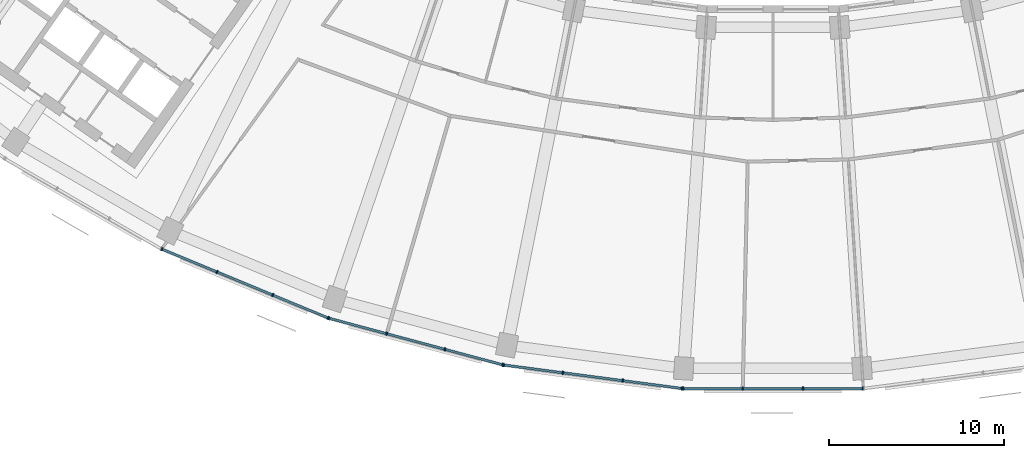
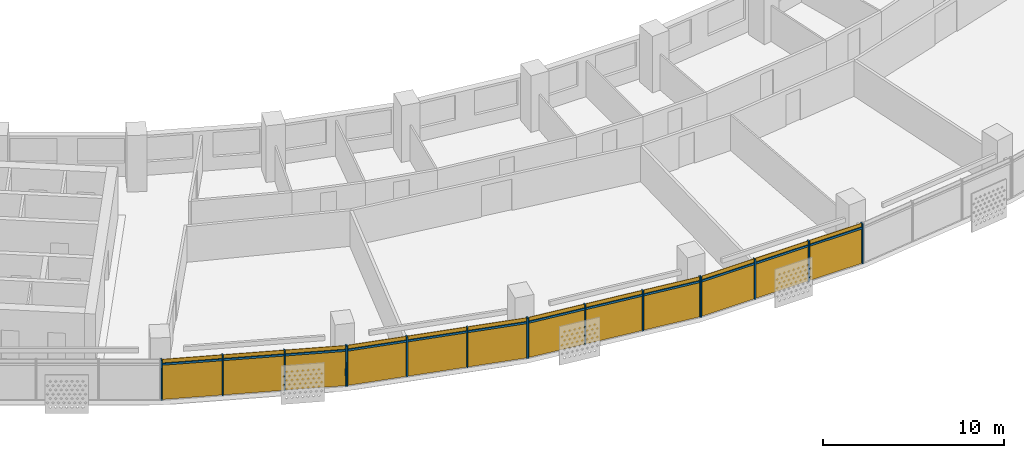
# One storey, part 18 of 26: 28 members, 4 curtain walls.
"""IFC4 building model written with IfcOpenShell, lengths in metres."""

from ifc_helpers import new_model, si_unit, direction, frame, origin, origin_2d, place, context, subcontext, project, spatial, rectangle, extrude, material, material_profile, profile_set, type_object, element, aggregate, save


model = new_model("IFC4")

# Units and contexts
model_context = context("Model", 3, precision=1e-05, world=origin(), true_north=direction((0.0, 1.0)))
body_context = subcontext(model_context, "Body", "Model", "MODEL_VIEW")
ifc_project = project(units=[si_unit("LENGTHUNIT", "METRE"), si_unit("AREAUNIT", "SQUARE_METRE"), si_unit("VOLUMEUNIT", "CUBIC_METRE"), si_unit("PLANEANGLEUNIT", "RADIAN"), si_unit("MASSUNIT", "GRAM", prefix="KILO")], contexts=[model_context])

# Member
ifc_material = material(Name="Aluminium 6063-T6 anodised", Category="aluminium")
ifc_material_profile_1 = material_profile(ifc_material, rectangle(XDim=0.199951171875, YDim=0.070068359375, at=origin_2d()))
ifc_profile_set_1 = profile_set([ifc_material_profile_1], Name="Aluminium 6063-T6 anodised")
member_type_1 = type_object("IfcMemberType", Name="Mullion 70 x 200 aluminium", PredefinedType="MULLION", material=ifc_profile_set_1)
site_placement = place(None, origin())
building_placement = place(site_placement, origin())
storey_placement = place(building_placement, frame((0.0, 0.0, 168.300048828125)))
member_1_placement = place(storey_placement, frame((-34.8701171875, -70.77392578125, 0.0), z_axis=(0.0, 0.0, 1.0), x_axis=(0.382683432365, 0.923879532511, 0.0)))
member_1 = element("IfcMember", 1, at=member_1_placement, type_object=member_type_1, Name="e-cw1-L39-out04/M00", PredefinedType="MULLION", context=body_context, shape_type="SweptSolid", body=[
    extrude(rectangle(XDim=0.199951171875, YDim=0.070068359375, at=origin_2d()), origin(), (0.0, 0.0, 1.0), 2.699951171875),
])

member_2_placement = place(storey_placement, frame((-31.72021484375, -72.078857421875, 0.0), z_axis=(0.0, 0.0, 1.0), x_axis=(0.382683432365, 0.923879532511, 0.0)))
member_2 = element("IfcMember", 2, at=member_2_placement, type_object=member_type_1, Name="e-cw1-L39-out04/M01", PredefinedType="MULLION", context=body_context, shape_type="SweptSolid", body=[
    extrude(rectangle(XDim=0.199951171875, YDim=0.070068359375, at=origin_2d()), origin(), (0.0, 0.0, 1.0), 2.699951171875),
])

member_3_placement = place(storey_placement, frame((-28.537841796875, -73.39697265625, 0.0), z_axis=(0.0, 0.0, 1.0), x_axis=(0.382683432365, 0.923879532511, 0.0)))
member_3 = element("IfcMember", 3, at=member_3_placement, type_object=member_type_1, Name="e-cw1-L39-out04/M02", PredefinedType="MULLION", context=body_context, shape_type="SweptSolid", body=[
    extrude(rectangle(XDim=0.199951171875, YDim=0.070068359375, at=origin_2d()), origin(), (0.0, 0.0, 1.0), 2.699951171875),
])

member_4_placement = place(storey_placement, frame((-25.3876953125, -74.70166015625, 0.0), z_axis=(0.0, 0.0, 1.0), x_axis=(0.382683432365, 0.923879532511, 0.0)))
member_4 = element("IfcMember", 4, at=member_4_placement, type_object=member_type_1, Name="e-cw1-L39-out04/M03", PredefinedType="MULLION", context=body_context, shape_type="SweptSolid", body=[
    extrude(rectangle(XDim=0.199951171875, YDim=0.070068359375, at=origin_2d()), origin(), (0.0, 0.0, 1.0), 2.699951171875),
])

member_5_placement = place(storey_placement, frame((-25.333984375, -74.719970703125, 0.0), z_axis=(0.0, 0.0, 1.0), x_axis=(0.258819045103, 0.965925826289, 0.0)))
member_5 = element("IfcMember", 5, at=member_5_placement, type_object=member_type_1, Name="e-cw1-L39-out05/M00", PredefinedType="MULLION", context=body_context, shape_type="SweptSolid", body=[
    extrude(rectangle(XDim=0.199951171875, YDim=0.070068359375, at=origin_2d()), origin(), (0.0, 0.0, 1.0), 2.699951171875),
])

member_6_placement = place(storey_placement, frame((-22.04052734375, -75.602294921875, 0.0), z_axis=(0.0, 0.0, 1.0), x_axis=(0.258819045103, 0.965925826289, 0.0)))
member_6 = element("IfcMember", 6, at=member_6_placement, type_object=member_type_1, Name="e-cw1-L39-out05/M01", PredefinedType="MULLION", context=body_context, shape_type="SweptSolid", body=[
    extrude(rectangle(XDim=0.199951171875, YDim=0.070068359375, at=origin_2d()), origin(), (0.0, 0.0, 1.0), 2.699951171875),
])

member_7_placement = place(storey_placement, frame((-18.71337890625, -76.493896484375, 0.0), z_axis=(0.0, 0.0, 1.0), x_axis=(0.258819045103, 0.965925826289, 0.0)))
member_7 = element("IfcMember", 7, at=member_7_placement, type_object=member_type_1, Name="e-cw1-L39-out05/M02", PredefinedType="MULLION", context=body_context, shape_type="SweptSolid", body=[
    extrude(rectangle(XDim=0.199951171875, YDim=0.070068359375, at=origin_2d()), origin(), (0.0, 0.0, 1.0), 2.699951171875),
])

member_8_placement = place(storey_placement, frame((-15.420166015625, -77.37646484375, 0.0), z_axis=(0.0, 0.0, 1.0), x_axis=(0.258819045103, 0.965925826289, 0.0)))
member_8 = element("IfcMember", 8, at=member_8_placement, type_object=member_type_1, Name="e-cw1-L39-out05/M03", PredefinedType="MULLION", context=body_context, shape_type="SweptSolid", body=[
    extrude(rectangle(XDim=0.199951171875, YDim=0.070068359375, at=origin_2d()), origin(), (0.0, 0.0, 1.0), 2.699951171875),
])

member_9_placement = place(storey_placement, frame((-15.364501953125, -77.387451171875, 0.0), z_axis=(0.0, 0.0, 1.0), x_axis=(0.13052619222, 0.991444861374, 0.0)))
member_9 = element("IfcMember", 9, at=member_9_placement, type_object=member_type_1, Name="e-cw1-L39-out06/M00", PredefinedType="MULLION", context=body_context, shape_type="SweptSolid", body=[
    extrude(rectangle(XDim=0.199951171875, YDim=0.070068359375, at=origin_2d()), origin(), (0.0, 0.0, 1.0), 2.699951171875),
])

member_10_placement = place(storey_placement, frame((-11.98388671875, -77.83251953125, 0.0), z_axis=(0.0, 0.0, 1.0), x_axis=(0.13052619222, 0.991444861374, 0.0)))
member_10 = element("IfcMember", 10, at=member_10_placement, type_object=member_type_1, Name="e-cw1-L39-out06/M01", PredefinedType="MULLION", context=body_context, shape_type="SweptSolid", body=[
    extrude(rectangle(XDim=0.199951171875, YDim=0.070068359375, at=origin_2d()), origin(), (0.0, 0.0, 1.0), 2.699951171875),
])

member_11_placement = place(storey_placement, frame((-8.56884765625, -78.2822265625, 0.0), z_axis=(0.0, 0.0, 1.0), x_axis=(0.13052619222, 0.991444861374, 0.0)))
member_11 = element("IfcMember", 11, at=member_11_placement, type_object=member_type_1, Name="e-cw1-L39-out06/M02", PredefinedType="MULLION", context=body_context, shape_type="SweptSolid", body=[
    extrude(rectangle(XDim=0.199951171875, YDim=0.070068359375, at=origin_2d()), origin(), (0.0, 0.0, 1.0), 2.699951171875),
])

member_12_placement = place(storey_placement, frame((-5.1884765625, -78.72705078125, 0.0), z_axis=(0.0, 0.0, 1.0), x_axis=(0.13052619222, 0.991444861374, 0.0)))
member_12 = element("IfcMember", 12, at=member_12_placement, type_object=member_type_1, Name="e-cw1-L39-out06/M03", PredefinedType="MULLION", context=body_context, shape_type="SweptSolid", body=[
    extrude(rectangle(XDim=0.199951171875, YDim=0.070068359375, at=origin_2d()), origin(), (0.0, 0.0, 1.0), 2.699951171875),
])

member_13_placement = place(storey_placement, frame((-5.1318359375, -78.73095703125, 0.0), z_axis=(0.0, 0.0, 1.0), x_axis=(0.0, 1.0, 0.0)))
member_13 = element("IfcMember", 13, at=member_13_placement, type_object=member_type_1, Name="e-cw1-L39-out07/M00", PredefinedType="MULLION", context=body_context, shape_type="SweptSolid", body=[
    extrude(rectangle(XDim=0.199951171875, YDim=0.070068359375, at=origin_2d()), origin(), (0.0, 0.0, 1.0), 2.699951171875),
])

member_14_placement = place(storey_placement, frame((-1.72216796875, -78.73095703125, 0.0), z_axis=(0.0, 0.0, 1.0), x_axis=(0.0, 1.0, 0.0)))
member_14 = element("IfcMember", 14, at=member_14_placement, type_object=member_type_1, Name="e-cw1-L39-out07/M01", PredefinedType="MULLION", context=body_context, shape_type="SweptSolid", body=[
    extrude(rectangle(XDim=0.199951171875, YDim=0.070068359375, at=origin_2d()), origin(), (0.0, 0.0, 1.0), 2.699951171875),
])

member_15_placement = place(storey_placement, frame((1.72216796875, -78.73095703125, 0.0), z_axis=(0.0, 0.0, 1.0), x_axis=(0.0, 1.0, 0.0)))
member_15 = element("IfcMember", 15, at=member_15_placement, type_object=member_type_1, Name="e-cw1-L39-out07/M02", PredefinedType="MULLION", context=body_context, shape_type="SweptSolid", body=[
    extrude(rectangle(XDim=0.199951171875, YDim=0.070068359375, at=origin_2d()), origin(), (0.0, 0.0, 1.0), 2.699951171875),
])

member_16_placement = place(storey_placement, frame((5.1318359375, -78.73095703125, 0.0), z_axis=(0.0, 0.0, 1.0), x_axis=(0.0, 1.0, 0.0)))
member_16 = element("IfcMember", 16, at=member_16_placement, type_object=member_type_1, Name="e-cw1-L39-out07/M03", PredefinedType="MULLION", context=body_context, shape_type="SweptSolid", body=[
    extrude(rectangle(XDim=0.199951171875, YDim=0.070068359375, at=origin_2d()), origin(), (0.0, 0.0, 1.0), 2.699951171875),
])

ifc_material_profile_2 = material_profile(ifc_material, rectangle(XDim=0.139892578125, YDim=0.1201171875, at=origin_2d()))
ifc_profile_set_2 = profile_set([ifc_material_profile_2], Name="Aluminium 6063-T6 anodised")
member_type_2 = type_object("IfcMemberType", Name="Transom 120 x 140 aluminium", PredefinedType="USERDEFINED", material=ifc_profile_set_2)
member_17_placement = place(storey_placement, frame((-34.837890625, -70.787353515625, 2.39990234375), z_axis=(0.923875164544, -0.382693977401, 0.0), x_axis=(0.382693977401, 0.923875164544, 0.0)))
member_17 = element("IfcMember", 17, at=member_17_placement, type_object=member_type_2, Name="e-cw1-L39-out04/T00", ObjectType="TRANSOM", PredefinedType="USERDEFINED", context=body_context, shape_type="SweptSolid", body=[
    extrude(rectangle(XDim=0.139892578125, YDim=0.1201171875, at=origin_2d()), origin(), (0.0, 0.0, 1.0), 3.339599609375),
])

member_18_placement = place(storey_placement, frame((-31.687744140625, -72.092041015625, 2.39990234375), z_axis=(0.923866926753, -0.382713863941, 0.0), x_axis=(0.382713863941, 0.923866926753, 0.0)))
member_18 = element("IfcMember", 18, at=member_18_placement, type_object=member_type_2, Name="e-cw1-L39-out04/T01", ObjectType="TRANSOM", PredefinedType="USERDEFINED", context=body_context, shape_type="SweptSolid", body=[
    extrude(rectangle(XDim=0.139892578125, YDim=0.1201171875, at=origin_2d()), origin(), (0.0, 0.0, 1.0), 3.37451171875),
])

member_19_placement = place(storey_placement, frame((-28.50537109375, -73.410400390625, 2.39990234375), z_axis=(0.923890305385, -0.382657423311, 0.0), x_axis=(0.382657423311, 0.923890305385, 0.0)))
member_19 = element("IfcMember", 19, at=member_19_placement, type_object=member_type_2, Name="e-cw1-L39-out04/T02", ObjectType="TRANSOM", PredefinedType="USERDEFINED", context=body_context, shape_type="SweptSolid", body=[
    extrude(rectangle(XDim=0.139892578125, YDim=0.1201171875, at=origin_2d()), origin(), (0.0, 0.0, 1.0), 3.33935546875),
])

member_20_placement = place(storey_placement, frame((-25.30029296875, -74.72900390625, 2.39990234375), z_axis=(0.965933368091, -0.258790897074, 0.0), x_axis=(0.258790897074, 0.965933368091, 0.0)))
member_20 = element("IfcMember", 20, at=member_20_placement, type_object=member_type_2, Name="e-cw1-L39-out05/T00", ObjectType="TRANSOM", PredefinedType="USERDEFINED", context=body_context, shape_type="SweptSolid", body=[
    extrude(rectangle(XDim=0.139892578125, YDim=0.1201171875, at=origin_2d()), origin(), (0.0, 0.0, 1.0), 3.339599609375),
])

member_21_placement = place(storey_placement, frame((-22.0068359375, -75.611572265625, 2.39990234375), z_axis=(0.965932873966, -0.258792741381, 0.0), x_axis=(0.258792741381, 0.965932873966, 0.0)))
member_21 = element("IfcMember", 21, at=member_21_placement, type_object=member_type_2, Name="e-cw1-L39-out05/T01", ObjectType="TRANSOM", PredefinedType="USERDEFINED", context=body_context, shape_type="SweptSolid", body=[
    extrude(rectangle(XDim=0.139892578125, YDim=0.1201171875, at=origin_2d()), origin(), (0.0, 0.0, 1.0), 3.37451171875),
])

member_22_placement = place(storey_placement, frame((-18.6796875, -76.5029296875, 2.39990234375), z_axis=(0.96591509168, -0.258859103886, 0.0), x_axis=(0.258859103886, 0.96591509168, 0.0)))
member_22 = element("IfcMember", 22, at=member_22_placement, type_object=member_type_2, Name="e-cw1-L39-out05/T02", ObjectType="TRANSOM", PredefinedType="USERDEFINED", context=body_context, shape_type="SweptSolid", body=[
    extrude(rectangle(XDim=0.139892578125, YDim=0.1201171875, at=origin_2d()), origin(), (0.0, 0.0, 1.0), 3.339599609375),
])

member_23_placement = place(storey_placement, frame((-15.32958984375, -77.39208984375, 2.39990234375), z_axis=(0.991448073325, -0.130501792706, 0.0), x_axis=(0.130501792706, 0.991448073325, 0.0)))
member_23 = element("IfcMember", 23, at=member_23_placement, type_object=member_type_2, Name="e-cw1-L39-out06/T00", ObjectType="TRANSOM", PredefinedType="USERDEFINED", context=body_context, shape_type="SweptSolid", body=[
    extrude(rectangle(XDim=0.139892578125, YDim=0.1201171875, at=origin_2d()), origin(), (0.0, 0.0, 1.0), 3.33935546875),
])

member_24_placement = place(storey_placement, frame((-11.94921875, -77.837158203125, 2.39990234375), z_axis=(0.991446413845, -0.130514399487, 0.0), x_axis=(0.130514399487, 0.991446413845, 0.0)))
member_24 = element("IfcMember", 24, at=member_24_placement, type_object=member_type_2, Name="e-cw1-L39-out06/T01", ObjectType="TRANSOM", PredefinedType="USERDEFINED", context=body_context, shape_type="SweptSolid", body=[
    extrude(rectangle(XDim=0.139892578125, YDim=0.1201171875, at=origin_2d()), origin(), (0.0, 0.0, 1.0), 3.37451171875),
])

member_25_placement = place(storey_placement, frame((-8.5341796875, -78.28662109375, 2.39990234375), z_axis=(0.991439857731, -0.130564193033, 0.0), x_axis=(0.130564193033, 0.991439857731, 0.0)))
member_25 = element("IfcMember", 25, at=member_25_placement, type_object=member_type_2, Name="e-cw1-L39-out06/T02", ObjectType="TRANSOM", PredefinedType="USERDEFINED", context=body_context, shape_type="SweptSolid", body=[
    extrude(rectangle(XDim=0.139892578125, YDim=0.1201171875, at=origin_2d()), origin(), (0.0, 0.0, 1.0), 3.339599609375),
])

member_26_placement = place(storey_placement, frame((-5.096923828125, -78.73095703125, 2.39990234375), z_axis=(1.0, 0.0, 0.0), x_axis=(0.0, 1.0, 0.0)))
member_26 = element("IfcMember", 26, at=member_26_placement, type_object=member_type_2, Name="e-cw1-L39-out07/T00", ObjectType="TRANSOM", PredefinedType="USERDEFINED", context=body_context, shape_type="SweptSolid", body=[
    extrude(rectangle(XDim=0.139892578125, YDim=0.1201171875, at=origin_2d()), origin(), (0.0, 0.0, 1.0), 3.339599609375),
])

member_27_placement = place(storey_placement, frame((-1.687255859375, -78.73095703125, 2.39990234375), z_axis=(1.0, 0.0, 0.0), x_axis=(0.0, 1.0, 0.0)))
member_27 = element("IfcMember", 27, at=member_27_placement, type_object=member_type_2, Name="e-cw1-L39-out07/T01", ObjectType="TRANSOM", PredefinedType="USERDEFINED", context=body_context, shape_type="SweptSolid", body=[
    extrude(rectangle(XDim=0.139892578125, YDim=0.1201171875, at=origin_2d()), origin(), (0.0, 0.0, 1.0), 3.37451171875),
])

member_28_placement = place(storey_placement, frame((1.75732421875, -78.73095703125, 2.39990234375), z_axis=(1.0, 0.0, 0.0), x_axis=(0.0, 1.0, 0.0)))
member_28 = element("IfcMember", 28, at=member_28_placement, type_object=member_type_2, Name="e-cw1-L39-out07/T02", ObjectType="TRANSOM", PredefinedType="USERDEFINED", context=body_context, shape_type="SweptSolid", body=[
    extrude(rectangle(XDim=0.139892578125, YDim=0.1201171875, at=origin_2d()), origin(), (0.0, 0.0, 1.0), 3.339599609375),
])

# Site, building, storey
site = spatial("IfcSite", under=ifc_project, at=site_placement, CompositionType="ELEMENT")
building = spatial("IfcBuilding", under=site, at=building_placement, Name="Qamariyya Broadcast Tower", CompositionType="ELEMENT")
storey = spatial("IfcBuildingStorey", under=building, at=storey_placement, Name="L39", CompositionType="ELEMENT", Elevation=168.300048828125)

# Curtain wall
curtain_wall_type = type_object("IfcCurtainWallType", Name="Unitised curtain wall, anodised aluminium", PredefinedType="NOTDEFINED", material=ifc_material)
curtain_wall_1_placement = place(storey_placement, origin())
curtain_wall_1 = element("IfcCurtainWall", 29, at=curtain_wall_1_placement, inside=storey, type_object=curtain_wall_type, Name="e-cw1-L39-out04", PredefinedType="NOTDEFINED", context=body_context, shape_type="SweptSolid", body=[
    extrude(rectangle(XDim=3.339599609375, YDim=0.031982421875, at=origin_2d()), frame((-33.295166015625, -71.42626953125, 0.0), x_axis=(0.923878040314, -0.382687034829, 0.0)), (0.0, 0.0, 1.0), 2.340087890625),
    extrude(rectangle(XDim=3.339599609375, YDim=0.031982421875, at=origin_2d()), frame((-33.295166015625, -71.42626953125, 2.4599609375), x_axis=(0.923878040314, -0.382687034829, 0.0)), (0.0, 0.0, 1.0), 0.239990234375),
    extrude(rectangle(XDim=3.37451171875, YDim=0.031982421875, at=origin_2d()), frame((-30.12890625, -72.73779296875, 0.0), x_axis=(0.923878040314, -0.382687034829, 0.0)), (0.0, 0.0, 1.0), 2.340087890625),
    extrude(rectangle(XDim=3.37451171875, YDim=0.031982421875, at=origin_2d()), frame((-30.12890625, -72.73779296875, 2.4599609375), x_axis=(0.923878040314, -0.382687034829, 0.0)), (0.0, 0.0, 1.0), 0.239990234375),
    extrude(rectangle(XDim=3.339599609375, YDim=0.031982421875, at=origin_2d()), frame((-26.962890625, -74.04931640625, 0.0), x_axis=(0.923878040314, -0.382687034829, 0.0)), (0.0, 0.0, 1.0), 2.340087890625),
    extrude(rectangle(XDim=3.339599609375, YDim=0.031982421875, at=origin_2d()), frame((-26.962890625, -74.04931640625, 2.4599609375), x_axis=(0.923878040314, -0.382687034829, 0.0)), (0.0, 0.0, 1.0), 0.239990234375),
])

aggregate(curtain_wall_1, [member_1, member_2, member_3, member_4, member_17, member_18, member_19])

curtain_wall_2_placement = place(storey_placement, origin())
curtain_wall_2 = element("IfcCurtainWall", 30, at=curtain_wall_2_placement, inside=storey, type_object=curtain_wall_type, Name="e-cw1-L39-out05", PredefinedType="NOTDEFINED", context=body_context, shape_type="SweptSolid", body=[
    extrude(rectangle(XDim=3.339599609375, YDim=0.031982421875, at=origin_2d()), frame((-23.6875, -75.1611328125, 0.0), x_axis=(0.965926433062, -0.258816780584, 0.0)), (0.0, 0.0, 1.0), 2.340087890625),
    extrude(rectangle(XDim=3.339599609375, YDim=0.031982421875, at=origin_2d()), frame((-23.6875, -75.1611328125, 2.4599609375), x_axis=(0.965926433062, -0.258816780584, 0.0)), (0.0, 0.0, 1.0), 0.239990234375),
    extrude(rectangle(XDim=3.37451171875, YDim=0.031982421875, at=origin_2d()), frame((-20.376953125, -76.04833984375, 0.0), x_axis=(0.965926433062, -0.258816780584, 0.0)), (0.0, 0.0, 1.0), 2.340087890625),
    extrude(rectangle(XDim=3.37451171875, YDim=0.031982421875, at=origin_2d()), frame((-20.376953125, -76.04833984375, 2.4599609375), x_axis=(0.965926433062, -0.258816780584, 0.0)), (0.0, 0.0, 1.0), 0.239990234375),
    extrude(rectangle(XDim=3.339599609375, YDim=0.031982421875, at=origin_2d()), frame((-17.066650390625, -76.935302734375, 0.0), x_axis=(0.965926433062, -0.258816780584, 0.0)), (0.0, 0.0, 1.0), 2.340087890625),
    extrude(rectangle(XDim=3.339599609375, YDim=0.031982421875, at=origin_2d()), frame((-17.066650390625, -76.935302734375, 2.4599609375), x_axis=(0.965926433062, -0.258816780584, 0.0)), (0.0, 0.0, 1.0), 0.239990234375),
])

aggregate(curtain_wall_2, [member_5, member_6, member_7, member_8, member_20, member_21, member_22])

curtain_wall_3_placement = place(storey_placement, origin())
curtain_wall_3 = element("IfcCurtainWall", 31, at=curtain_wall_3_placement, inside=storey, type_object=curtain_wall_type, Name="e-cw1-L39-out06", PredefinedType="NOTDEFINED", context=body_context, shape_type="SweptSolid", body=[
    extrude(rectangle(XDim=3.339599609375, YDim=0.031982421875, at=origin_2d()), frame((-13.67431640625, -77.60986328125, 0.0), x_axis=(0.991444240905, -0.130530905064, 0.0)), (0.0, 0.0, 1.0), 2.340087890625),
    extrude(rectangle(XDim=3.339599609375, YDim=0.031982421875, at=origin_2d()), frame((-13.67431640625, -77.60986328125, 2.4599609375), x_axis=(0.991444240905, -0.130530905064, 0.0)), (0.0, 0.0, 1.0), 0.239990234375),
    extrude(rectangle(XDim=3.37451171875, YDim=0.031982421875, at=origin_2d()), frame((-10.2763671875, -78.05712890625, 0.0), x_axis=(0.991444240905, -0.130530905064, 0.0)), (0.0, 0.0, 1.0), 2.340087890625),
    extrude(rectangle(XDim=3.37451171875, YDim=0.031982421875, at=origin_2d()), frame((-10.2763671875, -78.05712890625, 2.4599609375), x_axis=(0.991444240905, -0.130530905064, 0.0)), (0.0, 0.0, 1.0), 0.239990234375),
    extrude(rectangle(XDim=3.339599609375, YDim=0.031982421875, at=origin_2d()), frame((-6.878662109375, -78.504638671875, 0.0), x_axis=(0.991444240905, -0.130530905064, 0.0)), (0.0, 0.0, 1.0), 2.340087890625),
    extrude(rectangle(XDim=3.339599609375, YDim=0.031982421875, at=origin_2d()), frame((-6.878662109375, -78.504638671875, 2.4599609375), x_axis=(0.991444240905, -0.130530905064, 0.0)), (0.0, 0.0, 1.0), 0.239990234375),
])

aggregate(curtain_wall_3, [member_9, member_10, member_11, member_12, member_23, member_24, member_25])

curtain_wall_4_placement = place(storey_placement, origin())
curtain_wall_4 = element("IfcCurtainWall", 32, at=curtain_wall_4_placement, inside=storey, type_object=curtain_wall_type, Name="e-cw1-L39-out07", PredefinedType="NOTDEFINED", context=body_context, shape_type="SweptSolid", body=[
    extrude(rectangle(XDim=3.339599609375, YDim=0.031982421875, at=origin_2d()), frame((-3.427001953125, -78.73095703125, 0.0), x_axis=(1.0, 0.0, 0.0)), (0.0, 0.0, 1.0), 2.340087890625),
    extrude(rectangle(XDim=3.339599609375, YDim=0.031982421875, at=origin_2d()), frame((-3.427001953125, -78.73095703125, 2.4599609375), x_axis=(1.0, 0.0, 0.0)), (0.0, 0.0, 1.0), 0.239990234375),
    extrude(rectangle(XDim=3.37451171875, YDim=0.031982421875, at=origin_2d()), frame((0.0, -78.73095703125, 0.0), x_axis=(1.0, 0.0, 0.0)), (0.0, 0.0, 1.0), 2.340087890625),
    extrude(rectangle(XDim=3.37451171875, YDim=0.031982421875, at=origin_2d()), frame((0.0, -78.73095703125, 2.4599609375), x_axis=(1.0, 0.0, 0.0)), (0.0, 0.0, 1.0), 0.239990234375),
    extrude(rectangle(XDim=3.339599609375, YDim=0.031982421875, at=origin_2d()), frame((3.427001953125, -78.73095703125, 0.0), x_axis=(1.0, 0.0, 0.0)), (0.0, 0.0, 1.0), 2.340087890625),
    extrude(rectangle(XDim=3.339599609375, YDim=0.031982421875, at=origin_2d()), frame((3.427001953125, -78.73095703125, 2.4599609375), x_axis=(1.0, 0.0, 0.0)), (0.0, 0.0, 1.0), 0.239990234375),
])

aggregate(curtain_wall_4, [member_13, member_14, member_15, member_16, member_26, member_27, member_28])

save(model, "model.ifc")
